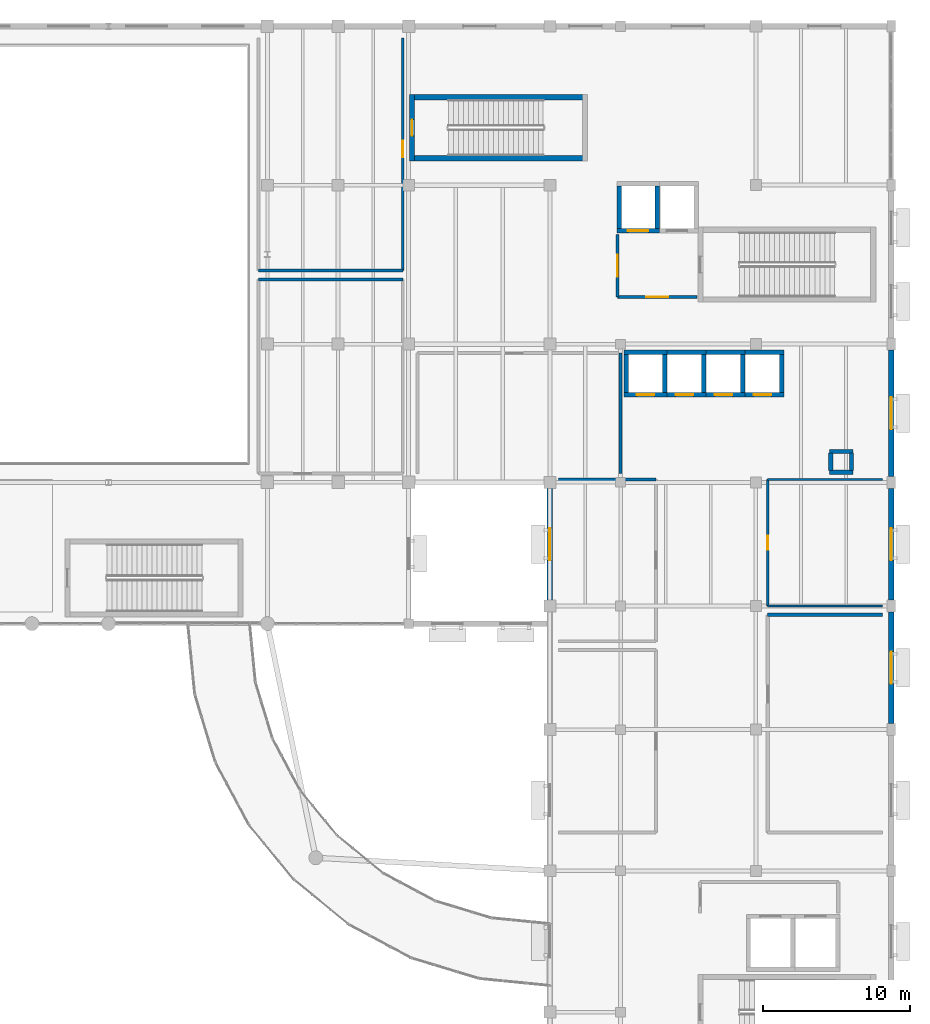
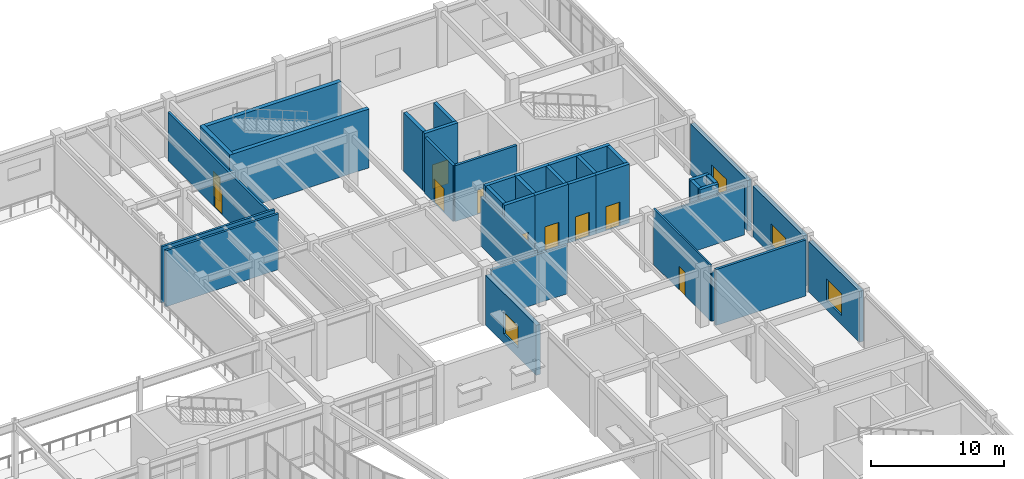
# One storey, part 54 of 72: 38 walls, 10 doors, 4 windows, 14 openings.
"""IFC4 building model written with IfcOpenShell, lengths in metres."""

from ifc_helpers import new_model, si_unit, direction, frame, frame_2d, origin, place, context, subcontext, project, spatial, rectangle, extrude, material, layer, layer_set, type_object, element, fill, save


model = new_model("IFC4")

# Units and contexts
model_context = context("Model", 3, precision=1e-05, world=origin(), true_north=direction((0.0, 1.0)))
body_context = subcontext(model_context, "Body", "Model", "MODEL_VIEW")
ifc_project = project(units=[si_unit("LENGTHUNIT", "METRE"), si_unit("AREAUNIT", "SQUARE_METRE"), si_unit("VOLUMEUNIT", "CUBIC_METRE"), si_unit("PLANEANGLEUNIT", "RADIAN"), si_unit("MASSUNIT", "GRAM", prefix="KILO")], contexts=[model_context])

# Site, building, storey
site_placement = place(None, origin())
site = spatial("IfcSite", under=ifc_project, at=site_placement, CompositionType="ELEMENT")
building_placement = place(site_placement, origin())
building = spatial("IfcBuilding", under=site, at=building_placement, Name="Veldera Park Congress Hotel", CompositionType="ELEMENT")
storey_placement = place(building_placement, frame((0.0, 0.0, 5.39990234375)))
storey = spatial("IfcBuildingStorey", under=building, at=storey_placement, Name="L01", CompositionType="ELEMENT", Elevation=5.39990234375)

# Wall, opening, window
ifc_material_1 = material(Name="Architectural Sandstone Cladding (ASTM C616)", Category="masonry")
ifc_layer_1 = layer(ifc_material_1, 0.360107421875)
ifc_layer_set_1 = layer_set([ifc_layer_1], Name="Architectural Sandstone Cladding (ASTM C616)")
wall_type_1 = type_object("IfcWallType", Name="EW-STONE360", PredefinedType="STANDARD", material=ifc_layer_set_1)
wall_1_placement = place(storey_placement, frame((84.0, 10.597900390625, 0.0), z_axis=(0.0, 0.0, 1.0), x_axis=(0.0, 1.0, 0.0)))
wall_1 = element("IfcWall", 1, at=wall_1_placement, inside=storey, type_object=wall_type_1, Name="L01 Exterior Wall EW3-L01-0152", PredefinedType="STANDARD", context=body_context, shape_type="SweptSolid", body=[
    extrude(rectangle(XDim=7.60400390625, YDim=0.360107421875, at=frame_2d((3.802001953125, 0.0))), origin(), (0.0, 0.0, 1.0), 4.662109375),
])
opening_1_placement = place(wall_1_placement, frame((2.701904296875, 0.0, 0.85009765625)))
opening_1 = element("IfcOpeningElement", 2, at=opening_1_placement, cuts=wall_1, Name="Opening WIN-2200", PredefinedType="OPENING", context=body_context, shape_type="SweptSolid", body=[
    extrude(rectangle(XDim=2.199951171875, YDim=2.0, at=frame_2d((1.10009765625, 1.0))), frame((0.0, 0.192138671875, 0.0), z_axis=(0.0, -1.0, 0.0), x_axis=(1.0, 0.0, 0.0)), (0.0, 0.0, 1.0), 0.384033203125),
])
ifc_material_2 = material(Name="Low-E Triple Insulating Glass Unit (SHGC 0.22)", Category="glass")
window_type = type_object("IfcWindowType", Name="WIN-2200", PartitioningType="DOUBLE_PANEL_VERTICAL", PredefinedType="WINDOW", material=ifc_material_2)
window_1_placement = place(opening_1_placement, origin())
window_1 = element("IfcWindow", 3, at=window_1_placement, inside=storey, type_object=window_type, Name="L01 Window WIN-2200 157", OverallHeight=2.0, OverallWidth=2.199951171875, PartitioningType="DOUBLE_PANEL_VERTICAL", PredefinedType="WINDOW", context=body_context, shape_type="SweptSolid", body=[
    extrude(rectangle(XDim=2.199951171875, YDim=2.0, at=frame_2d((1.10009765625, 1.0))), frame((0.0, 0.030029296875, 0.0), z_axis=(0.0, -1.0, 0.0), x_axis=(1.0, 0.0, 0.0)), (0.0, 0.0, 1.0), 0.06005859375),
])
fill(opening_1, window_1)

wall_2_placement = place(storey_placement, frame((84.0, 18.998046875, 0.0), z_axis=(0.0, 0.0, 1.0), x_axis=(0.0, 1.0, 0.0)))
wall_2 = element("IfcWall", 4, at=wall_2_placement, inside=storey, type_object=wall_type_1, Name="L01 Exterior Wall EW3-L01-0153", PredefinedType="STANDARD", context=body_context, shape_type="SweptSolid", body=[
    extrude(rectangle(XDim=7.60400390625, YDim=0.360107421875, at=frame_2d((3.802001953125, 0.0))), origin(), (0.0, 0.0, 1.0), 4.662109375),
])
opening_2_placement = place(wall_2_placement, frame((2.701904296875, 0.0, 0.85009765625)))
opening_2 = element("IfcOpeningElement", 5, at=opening_2_placement, cuts=wall_2, Name="Opening WIN-2200", PredefinedType="OPENING", context=body_context, shape_type="SweptSolid", body=[
    extrude(rectangle(XDim=2.199951171875, YDim=2.0, at=frame_2d((1.10009765625, 1.0))), frame((0.0, 0.192138671875, 0.0), z_axis=(0.0, -1.0, 0.0), x_axis=(1.0, 0.0, 0.0)), (0.0, 0.0, 1.0), 0.384033203125),
])
window_2_placement = place(opening_2_placement, origin())
window_2 = element("IfcWindow", 6, at=window_2_placement, inside=storey, type_object=window_type, Name="L01 Window WIN-2200 158", OverallHeight=2.0, OverallWidth=2.199951171875, PartitioningType="DOUBLE_PANEL_VERTICAL", PredefinedType="WINDOW", context=body_context, shape_type="SweptSolid", body=[
    extrude(rectangle(XDim=2.199951171875, YDim=2.0, at=frame_2d((1.10009765625, 1.0))), frame((0.0, 0.030029296875, 0.0), z_axis=(0.0, -1.0, 0.0), x_axis=(1.0, 0.0, 0.0)), (0.0, 0.0, 1.0), 0.06005859375),
])
fill(opening_2, window_2)

wall_3_placement = place(storey_placement, frame((84.0, 27.39794921875, 0.0), z_axis=(0.0, 0.0, 1.0), x_axis=(0.0, 1.0, 0.0)))
wall_3 = element("IfcWall", 7, at=wall_3_placement, inside=storey, type_object=wall_type_1, Name="L01 Exterior Wall EW3-L01-0154", PredefinedType="STANDARD", context=body_context, shape_type="SweptSolid", body=[
    extrude(rectangle(XDim=8.60400390625, YDim=0.360107421875, at=frame_2d((4.302001953125, 0.0))), origin(), (0.0, 0.0, 1.0), 4.662109375),
])
opening_3_placement = place(wall_3_placement, frame((3.201904296875, 0.0, 0.85009765625)))
opening_3 = element("IfcOpeningElement", 8, at=opening_3_placement, cuts=wall_3, Name="Opening WIN-2200", PredefinedType="OPENING", context=body_context, shape_type="SweptSolid", body=[
    extrude(rectangle(XDim=2.199951171875, YDim=2.0, at=frame_2d((1.10009765625, 1.0))), frame((0.0, 0.192138671875, 0.0), z_axis=(0.0, -1.0, 0.0), x_axis=(1.0, 0.0, 0.0)), (0.0, 0.0, 1.0), 0.384033203125),
])
window_3_placement = place(opening_3_placement, origin())
window_3 = element("IfcWindow", 9, at=window_3_placement, inside=storey, type_object=window_type, Name="L01 Window WIN-2200 159", OverallHeight=2.0, OverallWidth=2.199951171875, PartitioningType="DOUBLE_PANEL_VERTICAL", PredefinedType="WINDOW", context=body_context, shape_type="SweptSolid", body=[
    extrude(rectangle(XDim=2.199951171875, YDim=2.0, at=frame_2d((1.10009765625, 1.0))), frame((0.0, 0.030029296875, 0.0), z_axis=(0.0, -1.0, 0.0), x_axis=(1.0, 0.0, 0.0)), (0.0, 0.0, 1.0), 0.06005859375),
])
fill(opening_3, window_3)

wall_4_placement = place(storey_placement, frame((60.800048828125, 26.60205078125, 0.0), z_axis=(0.0, 0.0, 1.0), x_axis=(0.0, -1.0, 0.0)))
wall_4 = element("IfcWall", 10, at=wall_4_placement, inside=storey, type_object=wall_type_1, Name="L01 Exterior Wall EW3-L01-0161", PredefinedType="STANDARD", context=body_context, shape_type="SweptSolid", body=[
    extrude(rectangle(XDim=7.60400390625, YDim=0.360107421875, at=frame_2d((3.802001953125, 0.0))), origin(), (0.0, 0.0, 1.0), 4.585205078125),
])
opening_4_placement = place(wall_4_placement, frame((2.701904296875, 0.0, 0.85009765625)))
opening_4 = element("IfcOpeningElement", 11, at=opening_4_placement, cuts=wall_4, Name="Opening WIN-2200", PredefinedType="OPENING", context=body_context, shape_type="SweptSolid", body=[
    extrude(rectangle(XDim=2.199951171875, YDim=2.0, at=frame_2d((1.10009765625, 1.0))), frame((0.0, 0.192138671875, 0.0), z_axis=(0.0, -1.0, 0.0), x_axis=(1.0, 0.0, 0.0)), (0.0, 0.0, 1.0), 0.384033203125),
])
window_4_placement = place(opening_4_placement, origin())
window_4 = element("IfcWindow", 12, at=window_4_placement, inside=storey, type_object=window_type, Name="L01 Window WIN-2200 168", OverallHeight=2.0, OverallWidth=2.199951171875, PartitioningType="DOUBLE_PANEL_VERTICAL", PredefinedType="WINDOW", context=body_context, shape_type="SweptSolid", body=[
    extrude(rectangle(XDim=2.199951171875, YDim=2.0, at=frame_2d((1.10009765625, 1.0))), frame((0.0, 0.030029296875, 0.0), z_axis=(0.0, -1.0, 0.0), x_axis=(1.0, 0.0, 0.0)), (0.0, 0.0, 1.0), 0.06005859375),
])
fill(opening_4, window_4)

# Walls
ifc_material_3 = material(Name="Fire-Rated Gypsum Board on Cold-Formed Steel Studs", Category="steel")
ifc_layer_2 = layer(ifc_material_3, 0.195068359375)
ifc_layer_set_2 = layer_set([ifc_layer_2], Name="Fire-Rated Gypsum Board on Cold-Formed Steel Studs")
wall_type_2 = type_object("IfcWallType", Name="IW-CORR195", PredefinedType="PARTITIONING", material=ifc_layer_set_2)
for number, where, z_axis, x_axis, name in (
    (13, (50.800048828125, 40.800048828125, 0.0), (0.0, 0.0, 1.0), (-1.0, 0.0, 0.0), "L01 Partition Wall IW3-L01-00115"),
    (14, (41.0, 41.39990234375, 0.0), (0.0, 0.0, 1.0), (1.0, 0.0, 0.0), "L01 Partition Wall IW3-L01-00117"),
):
    element("IfcWall", number, at=place(storey_placement, frame(where, z_axis=z_axis, x_axis=x_axis)), inside=storey, type_object=wall_type_2, Name=name, PredefinedType="PARTITIONING", context=body_context, shape_type="SweptSolid", body=[
        extrude(rectangle(XDim=9.800048828125, YDim=0.195068359375, at=frame_2d((4.89990234375, 0.0))), origin(), (0.0, 0.0, 1.0), 5.130126953125),
    ])

# Wall, opening, door
wall_5_placement = place(storey_placement, frame((50.800048828125, 41.39990234375, 0.0), z_axis=(0.0, 0.0, 1.0), x_axis=(0.0, 1.0, 0.0)))
wall_5 = element("IfcWall", 15, at=wall_5_placement, inside=storey, type_object=wall_type_2, Name="L01 Partition Wall IW3-L01-00118", PredefinedType="PARTITIONING", context=body_context, shape_type="SweptSolid", body=[
    extrude(rectangle(XDim=15.800048828125, YDim=0.195068359375, at=frame_2d((7.89990234375, 0.0))), origin(), (0.0, 0.0, 1.0), 4.485107421875),
])
opening_5_placement = place(wall_5_placement, frame((7.685302734375, 0.0, 0.0)))
opening_5 = element("IfcOpeningElement", 16, at=opening_5_placement, cuts=wall_5, Name="Opening ID-MEET115", PredefinedType="OPENING", context=body_context, shape_type="SweptSolid", body=[
    extrude(rectangle(XDim=1.14990234375, YDim=2.199951171875, at=frame_2d((0.574951171875, 1.10009765625))), frame((0.0, 0.109619140625, 0.0), z_axis=(0.0, -1.0, 0.0), x_axis=(1.0, 0.0, 0.0)), (0.0, 0.0, 1.0), 0.218994140625),
])
ifc_material_4 = material(Name="Solid Core White Oak Architectural Door", Category="wood")
door_type_1 = type_object("IfcDoorType", Name="ID-MEET115", OperationType="NOTDEFINED", PredefinedType="DOOR", material=ifc_material_4)
door_1_placement = place(opening_5_placement, origin())
door_1 = element("IfcDoor", 17, at=door_1_placement, inside=storey, type_object=door_type_1, Name="L01 Executive Boardroom Saguaro Door ID3-L01-0041 (DR3-ID3-L01-0041)", OperationType="SINGLE_SWING_RIGHT", OverallHeight=2.199951171875, OverallWidth=1.14990234375, PredefinedType="DOOR", context=body_context, shape_type="SweptSolid", body=[
    extrude(rectangle(XDim=1.14990234375, YDim=2.199951171875, at=frame_2d((0.574951171875, 1.10009765625))), frame((0.0, 0.02490234375, 0.0), z_axis=(0.0, -1.0, 0.0), x_axis=(1.0, 0.0, 0.0)), (0.0, 0.0, 1.0), 0.050048828125),
])
fill(opening_5, door_1)

# Walls
wall_6_placement = place(storey_placement, frame((68.0, 27.199951171875, 0.0), z_axis=(0.0, 0.0, 1.0), x_axis=(-1.0, 0.0, 0.0)))
element("IfcWall", 18, at=wall_6_placement, inside=storey, type_object=wall_type_2, Name="L01 Partition Wall IW3-L01-00154", PredefinedType="PARTITIONING", context=body_context, shape_type="SweptSolid", body=[
    extrude(rectangle(XDim=6.60009765625, YDim=0.195068359375, at=frame_2d((3.300048828125, 0.0))), origin(), (0.0, 0.0, 1.0), 4.505126953125),
])
wall_7_placement = place(storey_placement, frame((65.60009765625, 27.60009765625, 0.0), z_axis=(0.0, 0.0, 1.0), x_axis=(0.0, 1.0, 0.0)))
element("IfcWall", 19, at=wall_7_placement, inside=storey, type_object=wall_type_2, Name="L01 Partition Wall IW3-L01-00166", PredefinedType="PARTITIONING", context=body_context, shape_type="SweptSolid", body=[
    extrude(rectangle(XDim=8.199951171875, YDim=0.195068359375, at=frame_2d((4.10009765625, 0.0))), origin(), (0.0, 0.0, 1.0), 4.505126953125),
])

# Wall, opening, door
ifc_material_5 = material(Name="Concrete f'c 40 MPa (5,800 psi)", Category="concrete")
ifc_layer_3 = layer(ifc_material_5, 0.219970703125)
ifc_layer_set_3 = layer_set([ifc_layer_3], Name="Concrete f'c 40 MPa (5,800 psi)")
wall_type_3 = type_object("IfcWallType", Name="IW-FIRE220", PredefinedType="STANDARD", material=ifc_layer_set_3)
wall_8_placement = place(storey_placement, frame((65.39990234375, 39.60009765625, 0.0), z_axis=(0.0, 0.0, 1.0), x_axis=(1.0, 0.0, 0.0)))
wall_8 = element("IfcWall", 20, at=wall_8_placement, inside=storey, type_object=wall_type_3, Name="L01 Partition Wall IW3-L01-00090", PredefinedType="STANDARD", context=body_context, shape_type="SweptSolid", body=[
    extrude(rectangle(XDim=5.400146484375, YDim=0.219970703125, at=frame_2d((2.7001953125, 0.0))), origin(), (0.0, 0.0, 1.0), 5.130126953125),
])
opening_6_placement = place(wall_8_placement, frame((1.949951171875, 0.0, 0.0)))
opening_6 = element("IfcOpeningElement", 21, at=opening_6_placement, cuts=wall_8, Name="Opening ID-LOB150", PredefinedType="OPENING", context=body_context, shape_type="SweptSolid", body=[
    extrude(rectangle(XDim=1.5, YDim=2.199951171875, at=frame_2d((0.75, 1.10009765625))), frame((0.0, 0.1220703125, 0.0), z_axis=(0.0, -1.0, 0.0), x_axis=(1.0, 0.0, 0.0)), (0.0, 0.0, 1.0), 0.243896484375),
])
ifc_material_6 = material(Name="Hollow Metal Fire-Rated Steel Door", Category="steel")
door_type_2 = type_object("IfcDoorType", Name="ID-LOB150", OperationType="DOUBLE_DOOR_SINGLE_SWING", PredefinedType="DOOR", material=ifc_material_6)
door_2_placement = place(opening_6_placement, origin())
door_2 = element("IfcDoor", 22, at=door_2_placement, inside=storey, type_object=door_type_2, Name="L01 Firefighting Lobby Door ID3-L01-0032 (DR3-ID3-L01-0032)", OperationType="DOUBLE_DOOR_SINGLE_SWING", OverallHeight=2.199951171875, OverallWidth=1.5, PredefinedType="DOOR", context=body_context, shape_type="SweptSolid", body=[
    extrude(rectangle(XDim=1.5, YDim=2.199951171875, at=frame_2d((0.75, 1.10009765625))), frame((0.0, 0.02490234375, 0.0), z_axis=(0.0, -1.0, 0.0), x_axis=(1.0, 0.0, 0.0)), (0.0, 0.0, 1.0), 0.050048828125),
])
fill(opening_6, door_2)

wall_9_placement = place(storey_placement, frame((65.39990234375, 43.85009765625, 0.0), z_axis=(0.0, 0.0, 1.0), x_axis=(0.0, -1.0, 0.0)))
wall_9 = element("IfcWall", 23, at=wall_9_placement, inside=storey, type_object=wall_type_3, Name="L01 Partition Wall IW3-L01-00091", PredefinedType="STANDARD", context=body_context, shape_type="SweptSolid", body=[
    extrude(rectangle(XDim=4.25, YDim=0.219970703125, at=frame_2d((2.125, 0.0))), origin(), (0.0, 0.0, 1.0), 5.130126953125),
])
opening_7_placement = place(wall_9_placement, frame((1.375, 0.0, 0.0)))
opening_7 = element("IfcOpeningElement", 24, at=opening_7_placement, cuts=wall_9, Name="Opening ID-LOB150", PredefinedType="OPENING", context=body_context, shape_type="SweptSolid", body=[
    extrude(rectangle(XDim=1.5, YDim=2.199951171875, at=frame_2d((0.75, 1.10009765625))), frame((0.0, 0.1220703125, 0.0), z_axis=(0.0, -1.0, 0.0), x_axis=(1.0, 0.0, 0.0)), (0.0, 0.0, 1.0), 0.243896484375),
])
door_3_placement = place(opening_7_placement, origin())
door_3 = element("IfcDoor", 25, at=door_3_placement, inside=storey, type_object=door_type_2, Name="L01 Firefighting Lobby Door ID3-L01-0033 (DR3-ID3-L01-0033)", OperationType="DOUBLE_DOOR_SINGLE_SWING", OverallHeight=2.199951171875, OverallWidth=1.5, PredefinedType="DOOR", context=body_context, shape_type="SweptSolid", body=[
    extrude(rectangle(XDim=1.5, YDim=2.199951171875, at=frame_2d((0.75, 1.10009765625))), frame((0.0, 0.02490234375, 0.0), z_axis=(0.0, -1.0, 0.0), x_axis=(1.0, 0.0, 0.0)), (0.0, 0.0, 1.0), 0.050048828125),
])
fill(opening_7, door_3)

# Walls
wall_10_placement = place(storey_placement, frame((83.39990234375, 18.0, 0.0), z_axis=(0.0, 0.0, 1.0), x_axis=(-1.0, 0.0, 0.0)))
element("IfcWall", 26, at=wall_10_placement, inside=storey, type_object=wall_type_3, Name="L01 Partition Wall IW3-L01-00161", PredefinedType="STANDARD", context=body_context, shape_type="SweptSolid", body=[
    extrude(rectangle(XDim=7.7998046875, YDim=0.219970703125, at=frame_2d((3.89990234375, 0.0))), origin(), (0.0, 0.0, 1.0), 5.130126953125),
])
ifc_layer_4 = layer(ifc_material_3, 0.14990234375)
ifc_layer_set_4 = layer_set([ifc_layer_4], Name="Fire-Rated Gypsum Board on Cold-Formed Steel Studs")
wall_type_4 = type_object("IfcWallType", Name="IW-PLMB150", PredefinedType="PLUMBINGWALL", material=ifc_layer_set_4)
for number, where, z_axis, x_axis, name in (
    (27, (75.60009765625, 18.60009765625, 0.0), (0.0, 0.0, 1.0), (1.0, 0.0, 0.0), "L01 Partition Wall IW3-L01-00163"),
    (28, (83.39990234375, 27.199951171875, 0.0), (0.0, 0.0, 1.0), (-1.0, 0.0, 0.0), "L01 Partition Wall IW3-L01-00164"),
):
    element("IfcWall", number, at=place(storey_placement, frame(where, z_axis=z_axis, x_axis=x_axis)), inside=storey, type_object=wall_type_4, Name=name, PredefinedType="PLUMBINGWALL", context=body_context, shape_type="SweptSolid", body=[
        extrude(rectangle(XDim=7.7998046875, YDim=0.14990234375, at=frame_2d((3.89990234375, 0.0))), origin(), (0.0, 0.0, 1.0), 4.505126953125),
    ])

# Wall, opening, door
wall_11_placement = place(storey_placement, frame((75.60009765625, 27.199951171875, 0.0), z_axis=(0.0, 0.0, 1.0), x_axis=(0.0, -1.0, 0.0)))
wall_11 = element("IfcWall", 29, at=wall_11_placement, inside=storey, type_object=wall_type_4, Name="L01 Partition Wall IW3-L01-00165", PredefinedType="PLUMBINGWALL", context=body_context, shape_type="SweptSolid", body=[
    extrude(rectangle(XDim=8.599853515625, YDim=0.14990234375, at=frame_2d((4.2998046875, 0.0))), origin(), (0.0, 0.0, 1.0), 5.130126953125),
])
opening_8_placement = place(wall_11_placement, frame((3.824951171875, 0.0, 0.0)))
opening_8 = element("IfcOpeningElement", 30, at=opening_8_placement, cuts=wall_11, Name="Opening ID-WC095", PredefinedType="OPENING", context=body_context, shape_type="SweptSolid", body=[
    extrude(rectangle(XDim=0.949951171875, YDim=2.14990234375, at=frame_2d((0.47509765625, 1.074951171875))), frame((0.0, 0.0869140625, 0.0), z_axis=(0.0, -1.0, 0.0), x_axis=(1.0, 0.0, 0.0)), (0.0, 0.0, 1.0), 0.173828125),
])
door_type_3 = type_object("IfcDoorType", Name="ID-WC095", OperationType="NOTDEFINED", PredefinedType="DOOR", material=ifc_material_4)
door_4_placement = place(opening_8_placement, origin())
door_4 = element("IfcDoor", 31, at=door_4_placement, inside=storey, type_object=door_type_3, Name="L01 Conference Floor Male Female and Accessible WCs Door ID3-L01-0057 (DR3-ID3-L01-0057)", OperationType="SINGLE_SWING_RIGHT", OverallHeight=2.14990234375, OverallWidth=0.949951171875, PredefinedType="DOOR", context=body_context, shape_type="SweptSolid", body=[
    extrude(rectangle(XDim=0.949951171875, YDim=2.14990234375, at=frame_2d((0.47509765625, 1.074951171875))), frame((0.0, 0.02490234375, 0.0), z_axis=(0.0, -1.0, 0.0), x_axis=(1.0, 0.0, 0.0)), (0.0, 0.0, 1.0), 0.050048828125),
])
fill(opening_8, door_4)

# Walls
ifc_layer_5 = layer(ifc_material_5, 0.35009765625)
ifc_layer_set_5 = layer_set([ifc_layer_5], Name="Concrete f'c 40 MPa (5,800 psi)")
wall_type_5 = type_object("IfcWallType", Name="SW-CORE350", PredefinedType="SHEAR", material=ifc_layer_set_5)
for number, where, z_axis, x_axis, name in (
    (32, (51.25, 49.02490234375, 0.0), (0.0, 0.0, 1.0), (1.0, 0.0, 0.0), "Stair ST3 Core Wall L01-S"),
    (33, (63.35009765625, 53.175048828125, 0.0), (0.0, 0.0, 1.0), (-1.0, 0.0, 0.0), "Stair ST3 Core Wall L01-N"),
):
    element("IfcWall", number, at=place(storey_placement, frame(where, z_axis=z_axis, x_axis=x_axis)), inside=storey, type_object=wall_type_5, Name=name, PredefinedType="SHEAR", context=body_context, shape_type="SweptSolid", body=[
        extrude(rectangle(XDim=12.10009765625, YDim=0.35009765625, at=frame_2d((6.050048828125, 0.0))), origin(), (0.0, 0.0, 1.0), 5.400146484375),
    ])

# Wall, opening, door
wall_12_placement = place(storey_placement, frame((51.425048828125, 53.35009765625, 0.0), z_axis=(0.0, 0.0, 1.0), x_axis=(0.0, -1.0, 0.0)))
wall_12 = element("IfcWall", 34, at=wall_12_placement, inside=storey, type_object=wall_type_5, Name="Stair ST3 Core Wall L01-W", PredefinedType="SHEAR", context=body_context, shape_type="SweptSolid", body=[
    extrude(rectangle(XDim=4.5, YDim=0.35009765625, at=frame_2d((2.25, 0.0))), origin(), (0.0, 0.0, 1.0), 5.400146484375),
])
opening_9_placement = place(wall_12_placement, frame((1.699951171875, 0.0, 0.0)))
opening_9 = element("IfcOpeningElement", 35, at=opening_9_placement, cuts=wall_12, Name="Opening ID-STAIR110", PredefinedType="OPENING", context=body_context, shape_type="SweptSolid", body=[
    extrude(rectangle(XDim=1.10009765625, YDim=2.199951171875, at=frame_2d((0.550048828125, 1.10009765625))), frame((0.0, 0.18701171875, 0.0), z_axis=(0.0, -1.0, 0.0), x_axis=(1.0, 0.0, 0.0)), (0.0, 0.0, 1.0), 0.3740234375),
])
door_type_4 = type_object("IfcDoorType", Name="ID-STAIR110", OperationType="NOTDEFINED", PredefinedType="DOOR", material=ifc_material_6)
door_5_placement = place(opening_9_placement, origin())
door_5 = element("IfcDoor", 36, at=door_5_placement, inside=storey, type_object=door_type_4, Name="L01 Stair ST3 Fire Door (DR3-SD-ST3-L01)", OperationType="SINGLE_SWING_LEFT", OverallHeight=2.199951171875, OverallWidth=1.10009765625, PredefinedType="DOOR", context=body_context, shape_type="SweptSolid", body=[
    extrude(rectangle(XDim=1.10009765625, YDim=2.199951171875, at=frame_2d((0.550048828125, 1.10009765625))), frame((0.0, 0.02490234375, 0.0), z_axis=(0.0, -1.0, 0.0), x_axis=(1.0, 0.0, 0.0)), (0.0, 0.0, 1.0), 0.050048828125),
])
fill(opening_9, door_5)

# Walls
ifc_layer_6 = layer(ifc_material_5, 0.300048828125)
ifc_layer_set_6 = layer_set([ifc_layer_6], Name="Concrete f'c 40 MPa (5,800 psi)")
wall_type_6 = type_object("IfcWallType", Name="SW-SHFT300", PredefinedType="SHEAR", material=ifc_layer_set_6)
for number, where, z_axis, x_axis, name in (
    (37, (79.800048828125, 27.699951171875, 0.0), (0.0, 0.0, 1.0), (1.0, 0.0, 0.0), "MEP Riser Shaft Wall L01-S"),
    (38, (81.39990234375, 29.10009765625, 0.0), (0.0, 0.0, 1.0), (-1.0, 0.0, 0.0), "MEP Riser Shaft Wall L01-N"),
):
    element("IfcWall", number, at=place(storey_placement, frame(where, z_axis=z_axis, x_axis=x_axis)), inside=storey, type_object=wall_type_6, Name=name, PredefinedType="SHEAR", context=body_context, shape_type="SweptSolid", body=[
        extrude(rectangle(XDim=1.599853515625, YDim=0.300048828125, at=frame_2d((0.7998046875, 0.0))), origin(), (0.0, 0.0, 1.0), 5.130126953125),
    ])
for number, where, z_axis, x_axis, name in (
    (39, (79.89990234375, 29.0, 0.0), (0.0, 0.0, 1.0), (0.0, -1.0, 0.0), "MEP Riser Shaft Wall L01-W"),
    (40, (81.300048828125, 27.800048828125, 0.0), (0.0, 0.0, 1.0), (0.0, 1.0, 0.0), "MEP Riser Shaft Wall L01-E"),
):
    element("IfcWall", number, at=place(storey_placement, frame(where, z_axis=z_axis, x_axis=x_axis)), inside=storey, type_object=wall_type_6, Name=name, PredefinedType="SHEAR", context=body_context, shape_type="SweptSolid", body=[
        extrude(rectangle(XDim=1.199951171875, YDim=0.300048828125, at=frame_2d((0.60009765625, 0.0))), origin(), (0.0, 0.0, 1.0), 5.130126953125),
    ])

# Wall, opening, door
wall_13_placement = place(storey_placement, frame((65.35009765625, 44.10009765625, 0.0), z_axis=(0.0, 0.0, 1.0), x_axis=(1.0, 0.0, 0.0)))
wall_13 = element("IfcWall", 41, at=wall_13_placement, inside=storey, type_object=wall_type_6, Name="Lift FL-01 Shaft Wall L01-S", PredefinedType="SHEAR", context=body_context, shape_type="SweptSolid", body=[
    extrude(rectangle(XDim=2.89990234375, YDim=0.300048828125, at=frame_2d((1.449951171875, 0.0))), origin(), (0.0, 0.0, 1.0), 5.400146484375),
])
opening_10_placement = place(wall_13_placement, frame((0.75, 0.0, 0.0)))
opening_10 = element("IfcOpeningElement", 42, at=opening_10_placement, cuts=wall_13, Name="Opening LD-140", PredefinedType="OPENING", context=body_context, shape_type="SweptSolid", body=[
    extrude(rectangle(XDim=1.39990234375, YDim=2.199951171875, at=frame_2d((0.699951171875, 1.10009765625))), frame((0.0, 0.162109375, 0.0), z_axis=(0.0, -1.0, 0.0), x_axis=(1.0, 0.0, 0.0)), (0.0, 0.0, 1.0), 0.323974609375),
])
door_type_5 = type_object("IfcDoorType", Name="LD-140", OperationType="DOUBLE_DOOR_SLIDING", PredefinedType="DOOR", material=ifc_material_6)
door_6_placement = place(opening_10_placement, origin())
door_6 = element("IfcDoor", 43, at=door_6_placement, inside=storey, type_object=door_type_5, Name="L01 Lift FL-01 Landing Door (DR3-LD-FL-01-L01)", OperationType="DOUBLE_DOOR_SLIDING", OverallHeight=2.199951171875, OverallWidth=1.39990234375, PredefinedType="DOOR", context=body_context, shape_type="SweptSolid", body=[
    extrude(rectangle(XDim=1.39990234375, YDim=2.199951171875, at=frame_2d((0.699951171875, 1.10009765625))), frame((0.0, 0.02490234375, 0.0), z_axis=(0.0, -1.0, 0.0), x_axis=(1.0, 0.0, 0.0)), (0.0, 0.0, 1.0), 0.050048828125),
])
fill(opening_10, door_6)

# Walls
for number, where, z_axis, x_axis, name in (
    (44, (68.10009765625, 44.25, 0.0), (0.0, 0.0, 1.0), (0.0, 1.0, 0.0), "Lift FL-01 Shaft Wall L01-E"),
    (45, (65.5, 47.14990234375, 0.0), (0.0, 0.0, 1.0), (0.0, -1.0, 0.0), "Lift FL-01 Shaft Wall L01-W"),
):
    element("IfcWall", number, at=place(storey_placement, frame(where, z_axis=z_axis, x_axis=x_axis)), inside=storey, type_object=wall_type_6, Name=name, PredefinedType="SHEAR", context=body_context, shape_type="SweptSolid", body=[
        extrude(rectangle(XDim=2.89990234375, YDim=0.300048828125, at=frame_2d((1.449951171875, 0.0))), origin(), (0.0, 0.0, 1.0), 5.400146484375),
    ])

# Wall, opening, door
wall_14_placement = place(storey_placement, frame((65.85009765625, 32.949951171875, 0.0), z_axis=(0.0, 0.0, 1.0), x_axis=(1.0, 0.0, 0.0)))
wall_14 = element("IfcWall", 46, at=wall_14_placement, inside=storey, type_object=wall_type_6, Name="Lift PL-01 Shaft Wall L01-S", PredefinedType="SHEAR", context=body_context, shape_type="SweptSolid", body=[
    extrude(rectangle(XDim=2.89990234375, YDim=0.300048828125, at=frame_2d((1.449951171875, 0.0))), origin(), (0.0, 0.0, 1.0), 5.400146484375),
])
opening_11_placement = place(wall_14_placement, frame((0.85009765625, 0.0, 0.0)))
opening_11 = element("IfcOpeningElement", 47, at=opening_11_placement, cuts=wall_14, Name="Opening LD-120", PredefinedType="OPENING", context=body_context, shape_type="SweptSolid", body=[
    extrude(rectangle(XDim=1.199951171875, YDim=2.199951171875, at=frame_2d((0.60009765625, 1.10009765625))), frame((0.0, 0.162109375, 0.0), z_axis=(0.0, -1.0, 0.0), x_axis=(1.0, 0.0, 0.0)), (0.0, 0.0, 1.0), 0.323974609375),
])
door_type_6 = type_object("IfcDoorType", Name="LD-120", OperationType="DOUBLE_DOOR_SLIDING", PredefinedType="DOOR", material=ifc_material_6)
door_7_placement = place(opening_11_placement, origin())
door_7 = element("IfcDoor", 48, at=door_7_placement, inside=storey, type_object=door_type_6, Name="L01 Lift PL-01 Landing Door (DR3-LD-PL-01-L01)", OperationType="DOUBLE_DOOR_SLIDING", OverallHeight=2.199951171875, OverallWidth=1.199951171875, PredefinedType="DOOR", context=body_context, shape_type="SweptSolid", body=[
    extrude(rectangle(XDim=1.199951171875, YDim=2.199951171875, at=frame_2d((0.60009765625, 1.10009765625))), frame((0.0, 0.02490234375, 0.0), z_axis=(0.0, -1.0, 0.0), x_axis=(1.0, 0.0, 0.0)), (0.0, 0.0, 1.0), 0.050048828125),
])
fill(opening_11, door_7)

# Walls
wall_15_placement = place(storey_placement, frame((68.75, 35.85009765625, 0.0), z_axis=(0.0, 0.0, 1.0), x_axis=(-1.0, 0.0, 0.0)))
element("IfcWall", 49, at=wall_15_placement, inside=storey, type_object=wall_type_6, Name="Lift PL-01 Shaft Wall L01-N", PredefinedType="SHEAR", context=body_context, shape_type="SweptSolid", body=[
    extrude(rectangle(XDim=2.89990234375, YDim=0.300048828125, at=frame_2d((1.449951171875, 0.0))), origin(), (0.0, 0.0, 1.0), 5.400146484375),
])
for number, where, z_axis, x_axis, name in (
    (50, (68.60009765625, 33.10009765625, 0.0), (0.0, 0.0, 1.0), (0.0, 1.0, 0.0), "Lift PL-01 Shaft Wall L01-E"),
    (51, (66.0, 35.699951171875, 0.0), (0.0, 0.0, 1.0), (0.0, -1.0, 0.0), "Lift PL-01 Shaft Wall L01-W"),
):
    element("IfcWall", number, at=place(storey_placement, frame(where, z_axis=z_axis, x_axis=x_axis)), inside=storey, type_object=wall_type_6, Name=name, PredefinedType="SHEAR", context=body_context, shape_type="SweptSolid", body=[
        extrude(rectangle(XDim=2.599853515625, YDim=0.300048828125, at=frame_2d((1.2998046875, 0.0))), origin(), (0.0, 0.0, 1.0), 5.400146484375),
    ])

# Wall, opening, door
wall_16_placement = place(storey_placement, frame((68.5, 32.949951171875, 0.0), z_axis=(0.0, 0.0, 1.0), x_axis=(1.0, 0.0, 0.0)))
wall_16 = element("IfcWall", 52, at=wall_16_placement, inside=storey, type_object=wall_type_6, Name="Lift PL-02 Shaft Wall L01-S", PredefinedType="SHEAR", context=body_context, shape_type="SweptSolid", body=[
    extrude(rectangle(XDim=2.89990234375, YDim=0.300048828125, at=frame_2d((1.449951171875, 0.0))), origin(), (0.0, 0.0, 1.0), 5.400146484375),
])
opening_12_placement = place(wall_16_placement, frame((0.85009765625, 0.0, 0.0)))
opening_12 = element("IfcOpeningElement", 53, at=opening_12_placement, cuts=wall_16, Name="Opening LD-120", PredefinedType="OPENING", context=body_context, shape_type="SweptSolid", body=[
    extrude(rectangle(XDim=1.199951171875, YDim=2.199951171875, at=frame_2d((0.60009765625, 1.10009765625))), frame((0.0, 0.162109375, 0.0), z_axis=(0.0, -1.0, 0.0), x_axis=(1.0, 0.0, 0.0)), (0.0, 0.0, 1.0), 0.323974609375),
])
door_8_placement = place(opening_12_placement, origin())
door_8 = element("IfcDoor", 54, at=door_8_placement, inside=storey, type_object=door_type_6, Name="L01 Lift PL-02 Landing Door (DR3-LD-PL-02-L01)", OperationType="DOUBLE_DOOR_SLIDING", OverallHeight=2.199951171875, OverallWidth=1.199951171875, PredefinedType="DOOR", context=body_context, shape_type="SweptSolid", body=[
    extrude(rectangle(XDim=1.199951171875, YDim=2.199951171875, at=frame_2d((0.60009765625, 1.10009765625))), frame((0.0, 0.02490234375, 0.0), z_axis=(0.0, -1.0, 0.0), x_axis=(1.0, 0.0, 0.0)), (0.0, 0.0, 1.0), 0.050048828125),
])
fill(opening_12, door_8)

# Walls
wall_17_placement = place(storey_placement, frame((71.39990234375, 35.85009765625, 0.0), z_axis=(0.0, 0.0, 1.0), x_axis=(-1.0, 0.0, 0.0)))
element("IfcWall", 55, at=wall_17_placement, inside=storey, type_object=wall_type_6, Name="Lift PL-02 Shaft Wall L01-N", PredefinedType="SHEAR", context=body_context, shape_type="SweptSolid", body=[
    extrude(rectangle(XDim=2.89990234375, YDim=0.300048828125, at=frame_2d((1.449951171875, 0.0))), origin(), (0.0, 0.0, 1.0), 5.400146484375),
])
wall_18_placement = place(storey_placement, frame((71.25, 33.10009765625, 0.0), z_axis=(0.0, 0.0, 1.0), x_axis=(0.0, 1.0, 0.0)))
element("IfcWall", 56, at=wall_18_placement, inside=storey, type_object=wall_type_6, Name="Lift PL-02 Shaft Wall L01-E", PredefinedType="SHEAR", context=body_context, shape_type="SweptSolid", body=[
    extrude(rectangle(XDim=2.599853515625, YDim=0.300048828125, at=frame_2d((1.2998046875, 0.0))), origin(), (0.0, 0.0, 1.0), 5.400146484375),
])

# Wall, opening, door
wall_19_placement = place(storey_placement, frame((71.14990234375, 32.949951171875, 0.0), z_axis=(0.0, 0.0, 1.0), x_axis=(1.0, 0.0, 0.0)))
wall_19 = element("IfcWall", 57, at=wall_19_placement, inside=storey, type_object=wall_type_6, Name="Lift PL-03 Shaft Wall L01-S", PredefinedType="SHEAR", context=body_context, shape_type="SweptSolid", body=[
    extrude(rectangle(XDim=2.900146484375, YDim=0.300048828125, at=frame_2d((1.4501953125, 0.0))), origin(), (0.0, 0.0, 1.0), 5.400146484375),
])
opening_13_placement = place(wall_19_placement, frame((0.85009765625, 0.0, 0.0)))
opening_13 = element("IfcOpeningElement", 58, at=opening_13_placement, cuts=wall_19, Name="Opening LD-120", PredefinedType="OPENING", context=body_context, shape_type="SweptSolid", body=[
    extrude(rectangle(XDim=1.199951171875, YDim=2.199951171875, at=frame_2d((0.60009765625, 1.10009765625))), frame((0.0, 0.162109375, 0.0), z_axis=(0.0, -1.0, 0.0), x_axis=(1.0, 0.0, 0.0)), (0.0, 0.0, 1.0), 0.323974609375),
])
door_9_placement = place(opening_13_placement, origin())
door_9 = element("IfcDoor", 59, at=door_9_placement, inside=storey, type_object=door_type_6, Name="L01 Lift PL-03 Landing Door (DR3-LD-PL-03-L01)", OperationType="DOUBLE_DOOR_SLIDING", OverallHeight=2.199951171875, OverallWidth=1.199951171875, PredefinedType="DOOR", context=body_context, shape_type="SweptSolid", body=[
    extrude(rectangle(XDim=1.199951171875, YDim=2.199951171875, at=frame_2d((0.60009765625, 1.10009765625))), frame((0.0, 0.02490234375, 0.0), z_axis=(0.0, -1.0, 0.0), x_axis=(1.0, 0.0, 0.0)), (0.0, 0.0, 1.0), 0.050048828125),
])
fill(opening_13, door_9)

# Walls
wall_20_placement = place(storey_placement, frame((74.050048828125, 35.85009765625, 0.0), z_axis=(0.0, 0.0, 1.0), x_axis=(-1.0, 0.0, 0.0)))
element("IfcWall", 60, at=wall_20_placement, inside=storey, type_object=wall_type_6, Name="Lift PL-03 Shaft Wall L01-N", PredefinedType="SHEAR", context=body_context, shape_type="SweptSolid", body=[
    extrude(rectangle(XDim=2.900146484375, YDim=0.300048828125, at=frame_2d((1.4501953125, 0.0))), origin(), (0.0, 0.0, 1.0), 5.400146484375),
])
wall_21_placement = place(storey_placement, frame((73.89990234375, 33.10009765625, 0.0), z_axis=(0.0, 0.0, 1.0), x_axis=(0.0, 1.0, 0.0)))
element("IfcWall", 61, at=wall_21_placement, inside=storey, type_object=wall_type_6, Name="Lift PL-03 Shaft Wall L01-E", PredefinedType="SHEAR", context=body_context, shape_type="SweptSolid", body=[
    extrude(rectangle(XDim=2.599853515625, YDim=0.300048828125, at=frame_2d((1.2998046875, 0.0))), origin(), (0.0, 0.0, 1.0), 5.400146484375),
])

# Wall, opening, door
wall_22_placement = place(storey_placement, frame((73.800048828125, 32.949951171875, 0.0), z_axis=(0.0, 0.0, 1.0), x_axis=(1.0, 0.0, 0.0)))
wall_22 = element("IfcWall", 62, at=wall_22_placement, inside=storey, type_object=wall_type_6, Name="Lift PL-04 Shaft Wall L01-S", PredefinedType="SHEAR", context=body_context, shape_type="SweptSolid", body=[
    extrude(rectangle(XDim=2.89990234375, YDim=0.300048828125, at=frame_2d((1.449951171875, 0.0))), origin(), (0.0, 0.0, 1.0), 5.400146484375),
])
opening_14_placement = place(wall_22_placement, frame((0.85009765625, 0.0, 0.0)))
opening_14 = element("IfcOpeningElement", 63, at=opening_14_placement, cuts=wall_22, Name="Opening LD-120", PredefinedType="OPENING", context=body_context, shape_type="SweptSolid", body=[
    extrude(rectangle(XDim=1.199951171875, YDim=2.199951171875, at=frame_2d((0.60009765625, 1.10009765625))), frame((0.0, 0.162109375, 0.0), z_axis=(0.0, -1.0, 0.0), x_axis=(1.0, 0.0, 0.0)), (0.0, 0.0, 1.0), 0.323974609375),
])
door_10_placement = place(opening_14_placement, origin())
door_10 = element("IfcDoor", 64, at=door_10_placement, inside=storey, type_object=door_type_6, Name="L01 Lift PL-04 Landing Door (DR3-LD-PL-04-L01)", OperationType="DOUBLE_DOOR_SLIDING", OverallHeight=2.199951171875, OverallWidth=1.199951171875, PredefinedType="DOOR", context=body_context, shape_type="SweptSolid", body=[
    extrude(rectangle(XDim=1.199951171875, YDim=2.199951171875, at=frame_2d((0.60009765625, 1.10009765625))), frame((0.0, 0.02490234375, 0.0), z_axis=(0.0, -1.0, 0.0), x_axis=(1.0, 0.0, 0.0)), (0.0, 0.0, 1.0), 0.050048828125),
])
fill(opening_14, door_10)

# Walls
wall_23_placement = place(storey_placement, frame((76.699951171875, 35.85009765625, 0.0), z_axis=(0.0, 0.0, 1.0), x_axis=(-1.0, 0.0, 0.0)))
element("IfcWall", 65, at=wall_23_placement, inside=storey, type_object=wall_type_6, Name="Lift PL-04 Shaft Wall L01-N", PredefinedType="SHEAR", context=body_context, shape_type="SweptSolid", body=[
    extrude(rectangle(XDim=2.89990234375, YDim=0.300048828125, at=frame_2d((1.449951171875, 0.0))), origin(), (0.0, 0.0, 1.0), 5.400146484375),
])
wall_24_placement = place(storey_placement, frame((76.550048828125, 33.10009765625, 0.0), z_axis=(0.0, 0.0, 1.0), x_axis=(0.0, 1.0, 0.0)))
element("IfcWall", 66, at=wall_24_placement, inside=storey, type_object=wall_type_6, Name="Lift PL-04 Shaft Wall L01-E", PredefinedType="SHEAR", context=body_context, shape_type="SweptSolid", body=[
    extrude(rectangle(XDim=2.599853515625, YDim=0.300048828125, at=frame_2d((1.2998046875, 0.0))), origin(), (0.0, 0.0, 1.0), 5.400146484375),
])

save(model, "model.ifc")
